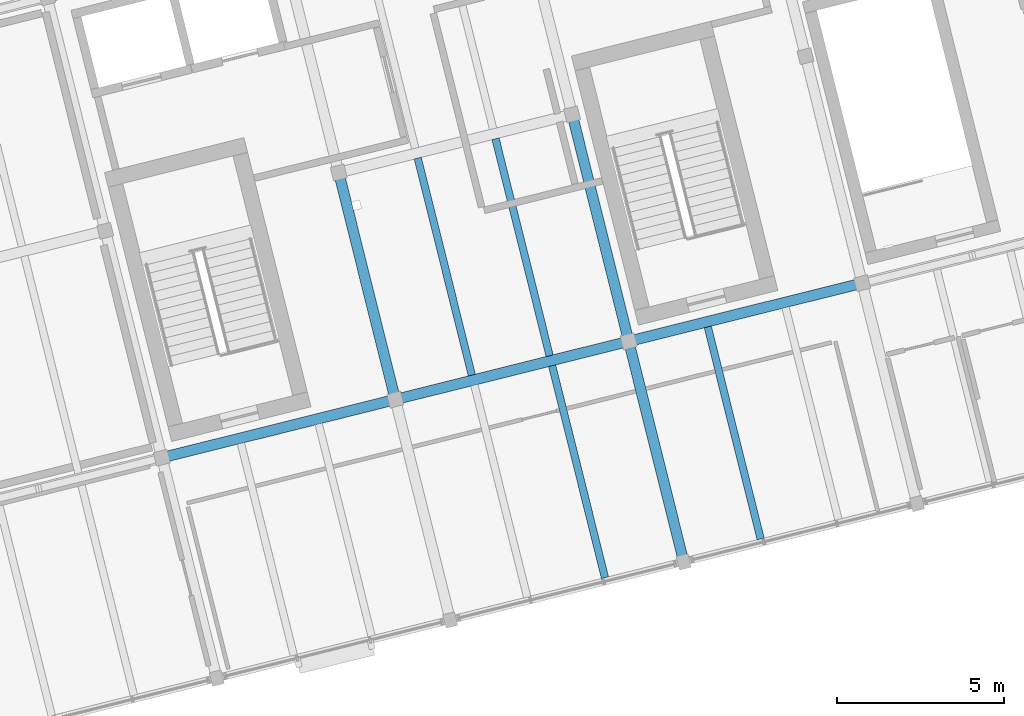
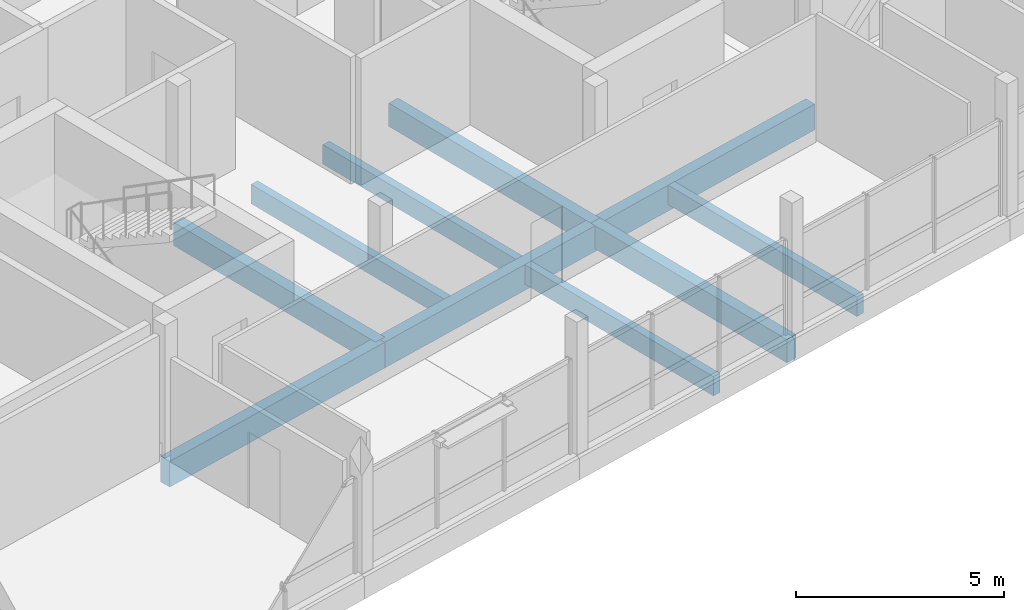
# One storey, part 6 of 28: 10 beams.
"""IFC4 building model written with IfcOpenShell, lengths in metres."""

from ifc_helpers import new_model, si_unit, direction, frame, origin, origin_2d, place, context, subcontext, project, spatial, rectangle, extrude, material, material_profile, profile_set, type_object, element, save


model = new_model("IFC4")

# Units and contexts
model_context = context("Model", 3, precision=1e-05, world=origin(), true_north=direction((0.0, 1.0)))
body_context = subcontext(model_context, "Body", "Model", "MODEL_VIEW")
ifc_project = project(units=[si_unit("LENGTHUNIT", "METRE"), si_unit("AREAUNIT", "SQUARE_METRE"), si_unit("VOLUMEUNIT", "CUBIC_METRE"), si_unit("PLANEANGLEUNIT", "RADIAN"), si_unit("MASSUNIT", "GRAM", prefix="KILO")], contexts=[model_context])

# Site, building, storey
site_placement = place(None, origin())
site = spatial("IfcSite", under=ifc_project, at=site_placement, CompositionType="ELEMENT")
building_placement = place(site_placement, origin())
building = spatial("IfcBuilding", under=site, at=building_placement, Name="Meriwether Solvik Hall", CompositionType="ELEMENT")
storey_placement = place(building_placement, frame((0.0, 0.0, 30.0)))
storey = spatial("IfcBuildingStorey", under=building, at=storey_placement, Name="L07", CompositionType="ELEMENT", Elevation=30.0)

# Beams
ifc_material_1 = material(Name="Glulam Douglas-Fir 24F-V8 GL28h", Category="wood")
ifc_material_profile_1 = material_profile(ifc_material_1, rectangle(XDim=0.31494140625, YDim=0.68505859375, at=origin_2d()), Name="GLB-315X685")
ifc_profile_set_1 = profile_set([ifc_material_profile_1], Name="Glulam Douglas-Fir 24F-V8 GL28h")
beam_type_1 = type_object("IfcBeamType", Name="BM-GL-315X685", PredefinedType="BEAM", material=ifc_profile_set_1)
beam_1_placement = place(storey_placement, frame((81.3154296875, 51.37841796875, -0.5625), z_axis=(-0.241944715397, 0.970290036376, 0.0), x_axis=(-0.970290036376, -0.241944715397, 0.0)))
element("IfcBeam", 1, at=beam_1_placement, inside=storey, type_object=beam_type_1, Name="Tower Girder T3:TB-TC (L07)", PredefinedType="BEAM", context=body_context, shape_type="SweptSolid", body=[
    extrude(rectangle(XDim=0.31494140625, YDim=0.68505859375, at=origin_2d()), origin(), (0.0, 0.0, 1.0), 7.0),
])
beam_2_placement = place(storey_placement, frame((89.946533203125, 46.522216796875, -0.5625), z_axis=(-0.24191045034, 0.970298579828, 0.0), x_axis=(-0.970298579828, -0.24191045034, 0.0)))
element("IfcBeam", 2, at=beam_2_placement, inside=storey, type_object=beam_type_1, Name="Tower Girder T4:TA-TB (L07)", PredefinedType="BEAM", context=body_context, shape_type="SweptSolid", body=[
    extrude(rectangle(XDim=0.31494140625, YDim=0.68505859375, at=origin_2d()), origin(), (0.0, 0.0, 1.0), 6.800048828125),
])
beam_3_placement = place(storey_placement, frame((88.301513671875, 53.120361328125, -0.5625), z_axis=(-0.241944715397, 0.970290036376, 0.0), x_axis=(-0.970290036376, -0.241944715397, 0.0)))
element("IfcBeam", 3, at=beam_3_placement, inside=storey, type_object=beam_type_1, Name="Tower Girder T4:TB-TC (L07)", PredefinedType="BEAM", context=body_context, shape_type="SweptSolid", body=[
    extrude(rectangle(XDim=0.31494140625, YDim=0.68505859375, at=origin_2d()), origin(), (0.0, 0.0, 1.0), 7.0),
])
ifc_material_2 = material(Name="Glulam Douglas-Fir 24F-V8 GL28h", Category="wood")
ifc_material_profile_2 = material_profile(ifc_material_2, rectangle(XDim=0.31494140625, YDim=0.760009765625, at=origin_2d()), Name="GLB-315X760")
ifc_profile_set_2 = profile_set([ifc_material_profile_2], Name="Glulam Douglas-Fir 24F-V8 GL28h")
beam_type_2 = type_object("IfcBeamType", Name="BM-GL-315X760", PredefinedType="BEAM", material=ifc_profile_set_2)
beam_4_placement = place(storey_placement, frame((74.3291015625, 49.63671875, -0.60009765625), z_axis=(0.970301855688, 0.241897310542, 0.0), x_axis=(-0.241897310542, 0.970301855688, 0.0)))
element("IfcBeam", 4, at=beam_4_placement, inside=storey, type_object=beam_type_2, Name="Tower Girder TB:T2-T3 (L07)", PredefinedType="BEAM", context=body_context, shape_type="SweptSolid", body=[
    extrude(rectangle(XDim=0.31494140625, YDim=0.760009765625, at=origin_2d()), origin(), (0.0, 0.0, 1.0), 7.2001953125),
])
for number, where, z_axis, x_axis, name in (
    (5, (81.3154296875, 51.37841796875, -0.60009765625), (0.970291911955, 0.241937193493, 0.0), (-0.241937193493, 0.970291911955, 0.0), "Tower Girder TB:T3-T4 (L07)"),
    (6, (88.301513671875, 53.120361328125, -0.60009765625), (0.970299871507, 0.241905269381, 0.0), (-0.241905269381, 0.970299871507, 0.0), "Tower Girder TB:T4-T5 (L07)"),
):
    element("IfcBeam", number, at=place(storey_placement, frame(where, z_axis=z_axis, x_axis=x_axis)), inside=storey, type_object=beam_type_2, Name=name, PredefinedType="BEAM", context=body_context, shape_type="SweptSolid", body=[
        extrude(rectangle(XDim=0.31494140625, YDim=0.760009765625, at=origin_2d()), origin(), (0.0, 0.0, 1.0), 7.199951171875),
    ])
ifc_material_3 = material(Name="Glulam Douglas-Fir 24F-V8 GL28h", Category="wood")
ifc_material_profile_3 = material_profile(ifc_material_3, rectangle(XDim=0.221923828125, YDim=0.570068359375, at=origin_2d()), Name="GLJ-222X570")
ifc_profile_set_3 = profile_set([ifc_material_profile_3], Name="Glulam Douglas-Fir 24F-V8 GL28h")
beam_type_3 = type_object("IfcBeamType", Name="JST-GL-222X570", PredefinedType="JOIST", material=ifc_profile_set_3)
beam_5_placement = place(storey_placement, frame((87.592041015625, 46.04443359375, -0.5048828125), z_axis=(-0.241920861923, 0.970295984, 0.0), x_axis=(-0.970295984, -0.241920861923, 0.0)))
element("IfcBeam", 7, at=beam_5_placement, inside=storey, type_object=beam_type_3, Name="Glulam Floor Joist T3/TA-J2 (L07)", PredefinedType="JOIST", context=body_context, shape_type="SweptSolid", body=[
    extrude(rectangle(XDim=0.221923828125, YDim=0.570068359375, at=origin_2d()), origin(), (0.0, 0.0, 1.0), 6.54150390625),
])
beam_6_placement = place(storey_placement, frame((83.607177734375, 52.10693359375, -0.5048828125), z_axis=(-0.241909233393, 0.970298883231, 0.0), x_axis=(-0.970298883231, -0.241909233393, 0.0)))
element("IfcBeam", 8, at=beam_6_placement, inside=storey, type_object=beam_type_3, Name="Glulam Floor Joist T3/TB-J1 (L07)", PredefinedType="JOIST", context=body_context, shape_type="SweptSolid", body=[
    extrude(rectangle(XDim=0.221923828125, YDim=0.570068359375, at=origin_2d()), origin(), (0.0, 0.0, 1.0), 6.6953125),
])
beam_7_placement = place(storey_placement, frame((85.935791015625, 52.687744140625, -0.5048828125), z_axis=(-0.241917792922, 0.970296749179, 0.0), x_axis=(-0.970296749179, -0.241917792922, 0.0)))
element("IfcBeam", 9, at=beam_7_placement, inside=storey, type_object=beam_type_3, Name="Glulam Floor Joist T3/TB-J2 (L07)", PredefinedType="JOIST", context=body_context, shape_type="SweptSolid", body=[
    extrude(rectangle(XDim=0.221923828125, YDim=0.570068359375, at=origin_2d()), origin(), (0.0, 0.0, 1.0), 6.695068359375),
])
beam_8_placement = place(storey_placement, frame((92.24951171875, 47.205810546875, -0.5048828125), z_axis=(-0.241920861923, 0.970295984, 0.0), x_axis=(-0.970295984, -0.241920861923, 0.0)))
element("IfcBeam", 10, at=beam_8_placement, inside=storey, type_object=beam_type_3, Name="Glulam Floor Joist T4/TA-J1 (L07)", PredefinedType="JOIST", context=body_context, shape_type="SweptSolid", body=[
    extrude(rectangle(XDim=0.221923828125, YDim=0.570068359375, at=origin_2d()), origin(), (0.0, 0.0, 1.0), 6.54150390625),
])

save(model, "model.ifc")
